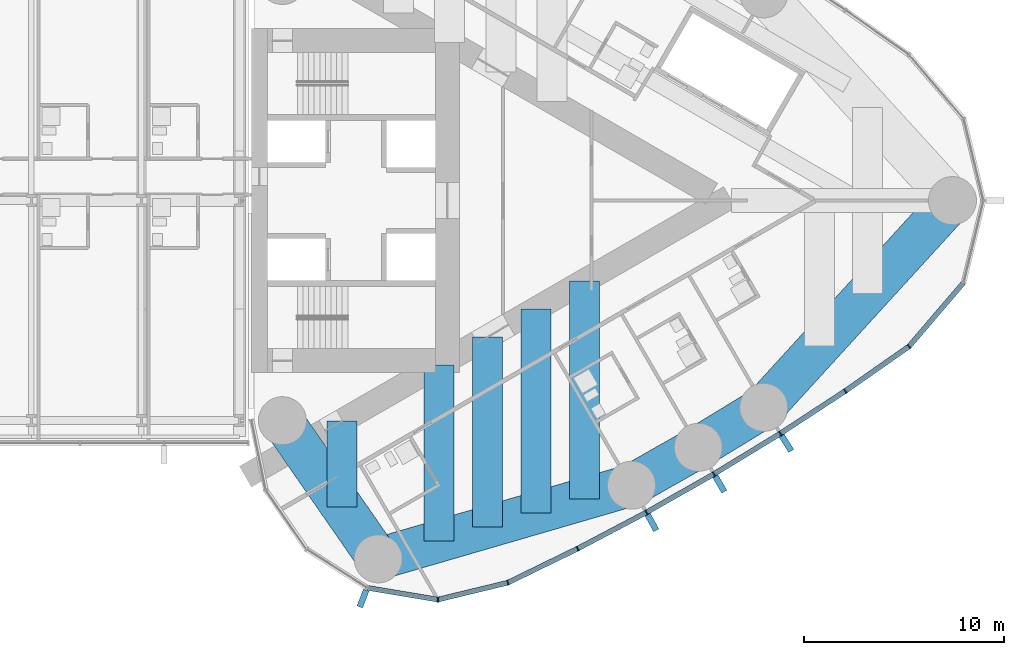
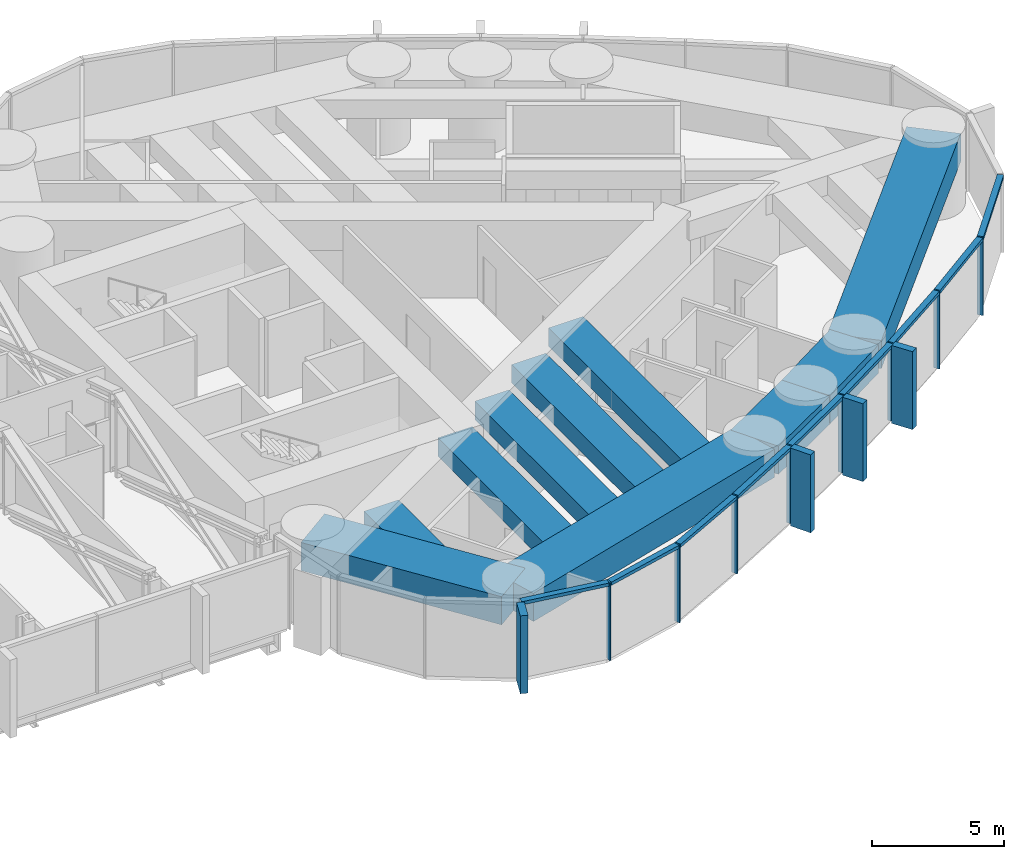
# One storey, part 8 of 23: 21 members, 10 beams, 1 element without a shape of its own.
"""IFC4 building model written with IfcOpenShell, lengths in metres."""

import ifcopenshell
import ifcopenshell.guid

model = None  # the IFC model being written
_history = None  # IfcOwnerHistory: only IFC2X3 demands one
_inside = {}  # id of a spatial element -> (the spatial element, [elements in it])
_under = {}  # id of a project, library or spatial element -> (it, [spatial elements below it])
_declared = {}  # id of a project -> (the project, [libraries it declares])
_typed = {}  # id of a type object -> (the type object, [elements of that type])
_made_of = {}  # id of a material, layer set ... -> (it, [elements and type objects made of it])


def new_model(schema):
    """Start an empty IFC model of exactly this schema.

    Asked for "IFC4X3", IfcOpenShell would pick the latest addendum, in which some entities
    have other attributes; the version numbers below select the first issue.
    IFC2X3 requires an IfcOwnerHistory on every rooted entity: one is made here for all.
    """
    global model, _history
    if schema == "IFC4X3":
        model = ifcopenshell.file(schema_version=(4, 3, 0, 0))
    else:
        model = ifcopenshell.file(schema=schema)
    _inside.clear()
    _under.clear()
    _declared.clear()
    _typed.clear()
    _made_of.clear()
    _history = None
    if model.schema == "IFC2X3":
        org = make("IfcOrganization", Name="unknown")
        user = make(
            "IfcPersonAndOrganization",
            ThePerson=make("IfcPerson", FamilyName="unknown"),
            TheOrganization=org,
        )
        app = make(
            "IfcApplication",
            ApplicationDeveloper=org,
            Version="unknown",
            ApplicationFullName="unknown",
            ApplicationIdentifier="unknown",
        )
        _history = make(
            "IfcOwnerHistory",
            OwningUser=user,
            OwningApplication=app,
            ChangeAction="ADDED",
            CreationDate=0,
        )
    return model


def make(cls, **values):
    """One entity of the class cls with the attributes given. An attribute that is None is left unset."""
    return model.create_entity(
        cls, **{name: value for name, value in values.items() if value is not None}
    )


def rooted(cls, **values):
    """An entity with a GlobalId (a new one), such as an element, a storey or a relation."""
    return make(cls, GlobalId=ifcopenshell.guid.new(), OwnerHistory=_history, **values)


def si_unit(unit_type, name, prefix=None):
    """IfcSIUnit, for example si_unit("LENGTHUNIT", "METRE", prefix="MILLI")."""
    return make("IfcSIUnit", UnitType=unit_type, Prefix=prefix, Name=name)


def assignment(units):
    """IfcUnitAssignment: the units of a project."""
    return None if units is None else make("IfcUnitAssignment", Units=units)


def point(xyz):
    """IfcCartesianPoint."""
    return None if xyz is None else make("IfcCartesianPoint", Coordinates=xyz)


def direction(xyz):
    """IfcDirection."""
    return None if xyz is None else make("IfcDirection", DirectionRatios=xyz)


def frame(location, z_axis=None, x_axis=None):
    """IfcAxis2Placement3D, a coordinate frame: its origin and axes. An axis left out is left unset."""
    return make(
        "IfcAxis2Placement3D",
        Location=point(location),
        Axis=direction(z_axis),
        RefDirection=direction(x_axis),
    )


def frame_2d(location, x_axis=None):
    """IfcAxis2Placement2D, a coordinate frame in the plane: its origin and x axis."""
    return make(
        "IfcAxis2Placement2D", Location=point(location), RefDirection=direction(x_axis)
    )


def origin():
    """The frame at (0, 0, 0) with its axes left unset."""
    return frame((0.0, 0.0, 0.0))


def origin_2d():
    """The frame at (0, 0) in the plane with its x axis left unset."""
    return frame_2d((0.0, 0.0))


def place(relative_to, where):
    """IfcLocalPlacement: puts the frame where relative to a parent placement (None: the world)."""
    return make(
        "IfcLocalPlacement", PlacementRelTo=relative_to, RelativePlacement=where
    )


def context(
    kind, dimensions, precision=None, world=None, true_north=None, identifier=None
):
    """IfcGeometricRepresentationContext, for example the 3D "Model" context."""
    return make(
        "IfcGeometricRepresentationContext",
        ContextIdentifier=identifier,
        ContextType=kind,
        CoordinateSpaceDimension=dimensions,
        Precision=precision,
        WorldCoordinateSystem=world,
        TrueNorth=true_north,
    )


def subcontext(parent, identifier, kind, view, scale=None):
    """IfcGeometricRepresentationSubContext, for example "Body" below "Model"."""
    return make(
        "IfcGeometricRepresentationSubContext",
        ContextIdentifier=identifier,
        ContextType=kind,
        ParentContext=parent,
        TargetScale=scale,
        TargetView=view,
    )


def project(units=None, contexts=None):
    """IfcProject with its units and contexts."""
    return rooted(
        "IfcProject",
        Name="project",
        RepresentationContexts=contexts,
        UnitsInContext=assignment(units),
    )


def spatial(cls, under=None, at=None, **own):
    """A site, building, storey or space (cls), placed at a placement, below another one or the project."""
    s = rooted(cls, ObjectPlacement=at, **own)
    if under is not None:
        _under.setdefault(under.id(), (under, []))[1].append(s)
    return s


def profile(cls, at=None, kind="AREA", **sizes):
    """A parametric profile (cls). Its sizes go by their IFC names, for example OverallWidth=200.0."""
    return make(cls, ProfileType=kind, Position=at, **sizes)


def rectangle(**sizes):
    """IfcRectangleProfileDef."""
    return profile("IfcRectangleProfileDef", **sizes)


def extrude(swept, where, along, depth):
    """IfcExtrudedAreaSolid: the profile swept, set in the frame where, extruded along a direction by depth."""
    return make(
        "IfcExtrudedAreaSolid",
        SweptArea=swept,
        Position=where,
        ExtrudedDirection=direction(along),
        Depth=depth,
    )


def shape(context_of_items, identifier, shape_type, items):
    """IfcShapeRepresentation: the items that make up one representation, for example the "Body"."""
    return make(
        "IfcShapeRepresentation",
        ContextOfItems=context_of_items,
        RepresentationIdentifier=identifier,
        RepresentationType=shape_type,
        Items=items,
    )


def material(Name=None, Category=None):
    """IfcMaterial."""
    return make("IfcMaterial", Name=Name, Category=Category)


def material_profile(
    of_material, cross_section, Name=None, Category=None, Priority=None
):
    """IfcMaterialProfile: a cross section and its material."""
    return make(
        "IfcMaterialProfile",
        Name=Name,
        Material=of_material,
        Profile=cross_section,
        Priority=Priority,
        Category=Category,
    )


def profile_set(profiles, Name=None, composite=None):
    """IfcMaterialProfileSet."""
    return make(
        "IfcMaterialProfileSet",
        Name=Name,
        MaterialProfiles=profiles,
        CompositeProfile=composite,
    )


def made_of(thing, what):
    """Note that an element or type object is made of a material, layer set ...; save() writes the relation."""
    if what is not None:
        _made_of.setdefault(what.id(), (what, []))[1].append(thing)
    return thing


def type_object(cls, material=None, **own):
    """A type object (cls), such as IfcWallType, which elements share."""
    return made_of(rooted(cls, **own), material)


def element(
    cls,
    number,
    at=None,
    inside=None,
    cuts=None,
    type_object=None,
    material=None,
    context=None,
    identifier="Body",
    shape_type=None,
    held_by="IfcProductDefinitionShape",
    body=None,
    shapes=None,
    **own,
):
    """One element of the class cls, such as IfcWall. Its Tag is "e" and its number.

    at: its placement. inside: the storey or other place that contains it. cuts: it is an
    opening in that element (IfcRelVoidsElement). A single representation is given by context,
    identifier, shape_type and body (its items); several are given by shapes. held_by: the class
    of the entity that holds the representations. save() writes the other relations.
    """
    e = rooted(cls, Tag="e%d" % number, ObjectPlacement=at, **own)
    if body is not None:
        shapes = [shape(context, identifier, shape_type, body)]
    if shapes is not None:
        e.Representation = make(held_by, Representations=shapes)
    if inside is not None:
        _inside.setdefault(inside.id(), (inside, []))[1].append(e)
    if cuts is not None:
        rooted(
            "IfcRelVoidsElement", RelatingBuildingElement=cuts, RelatedOpeningElement=e
        )
    if type_object is not None:
        _typed.setdefault(type_object.id(), (type_object, []))[1].append(e)
    return made_of(e, material)


def aggregate(whole, parts):
    """IfcRelAggregates: a whole, such as a stair, and the parts it consists of."""
    return rooted("IfcRelAggregates", RelatingObject=whole, RelatedObjects=parts)


def save(model, path):
    """Write the relations noted so far, then the file.

    IfcRelAggregates (storeys below a building ...), IfcRelContainedInSpatialStructure (elements
    in a storey), IfcRelDefinesByType, IfcRelAssociatesMaterial and IfcRelDeclares: one each for
    every whole, place, type object, material and project.
    """
    for whole, parts in _under.values():
        aggregate(whole, parts)
    for where, things in _inside.values():
        rooted(
            "IfcRelContainedInSpatialStructure",
            RelatedElements=things,
            RelatingStructure=where,
        )
    for kind, things in _typed.values():
        rooted("IfcRelDefinesByType", RelatedObjects=things, RelatingType=kind)
    for what, things in _made_of.values():
        rooted("IfcRelAssociatesMaterial", RelatedObjects=things, RelatingMaterial=what)
    for by, libraries in _declared.values():
        rooted("IfcRelDeclares", RelatingContext=by, RelatedDefinitions=libraries)
    model.write(path)


model = new_model("IFC4")

# Units and contexts
model_context = context("Model", 3, precision=1e-05, world=origin(), true_north=direction((0.0, 1.0)))
body_context = subcontext(model_context, "Body", "Model", "MODEL_VIEW")
ifc_project = project(units=[si_unit("LENGTHUNIT", "METRE"), si_unit("AREAUNIT", "SQUARE_METRE"), si_unit("VOLUMEUNIT", "CUBIC_METRE"), si_unit("PLANEANGLEUNIT", "RADIAN"), si_unit("MASSUNIT", "GRAM", prefix="KILO")], contexts=[model_context])

# Site, building, storey
site_placement = place(None, origin())
site = spatial("IfcSite", under=ifc_project, at=site_placement, CompositionType="ELEMENT")
building_placement = place(site_placement, origin())
building = spatial("IfcBuilding", under=site, at=building_placement, Name="Lancet Gate Hotel", CompositionType="ELEMENT")
storey_placement = place(building_placement, frame((0.0, 0.0, 218.89990234375)))
storey = spatial("IfcBuildingStorey", under=building, at=storey_placement, Name="L58", CompositionType="ELEMENT", Elevation=218.89990234375)

# Curtain wall, members
ifc_material_1 = material(Name="Aluminium curtain wall", Category="aluminium")
curtain_wall_type = type_object("IfcCurtainWallType", Name="Tower unitised curtain wall", PredefinedType="USERDEFINED", material=ifc_material_1)
curtain_wall_placement = place(storey_placement, origin())
curtain_wall = element("IfcCurtainWall", 1, at=curtain_wall_placement, inside=storey, type_object=curtain_wall_type, Name="T2 L58 curtain wall 1", ObjectType="UNITISED CURTAIN WALL", PredefinedType="USERDEFINED")
ifc_material_2 = material(Name="Aluminium mullion", Category="aluminium")
ifc_material_profile_1 = material_profile(ifc_material_2, rectangle(XDim=0.06494140625, YDim=0.25, at=origin_2d()), Name="MULLION 65x250")
ifc_profile_set_1 = profile_set([ifc_material_profile_1], Name="Aluminium mullion")
member_type_1 = type_object("IfcMemberType", Name="Aluminium mullion 65x250", PredefinedType="MULLION", material=ifc_profile_set_1)
member_1_placement = place(storey_placement, frame((36.826171875, -19.942138671875, 0.0), z_axis=(0.0, 0.0, 1.0), x_axis=(0.999342744911, 0.03625021647, 0.0)))
member_1 = element("IfcMember", 2, at=member_1_placement, type_object=member_type_1, Name="T2 L58 curtain wall 1 mullion 5", PredefinedType="MULLION", context=body_context, shape_type="SweptSolid", body=[
    extrude(rectangle(XDim=0.06494140625, YDim=0.25, at=origin_2d()), origin(), (0.0, 0.0, 1.0), 3.60009765625),
])
member_2_placement = place(storey_placement, frame((40.3173828125, -19.098388671875, 0.0), z_axis=(0.0, 0.0, 1.0), x_axis=(0.939483740419, 0.342593493061, 0.0)))
member_2 = element("IfcMember", 3, at=member_2_placement, type_object=member_type_1, Name="T2 L58 curtain wall 1 mullion 6", PredefinedType="MULLION", context=body_context, shape_type="SweptSolid", body=[
    extrude(rectangle(XDim=0.06494140625, YDim=0.25, at=origin_2d()), origin(), (0.0, 0.0, 1.0), 3.60009765625),
])
member_3_placement = place(storey_placement, frame((43.80810546875, -17.396240234375, 0.0), z_axis=(0.0, 0.0, 1.0), x_axis=(0.891832977257, 0.452364831389, 0.0)))
member_3 = element("IfcMember", 4, at=member_3_placement, type_object=member_type_1, Name="T2 L58 curtain wall 1 mullion 7", PredefinedType="MULLION", context=body_context, shape_type="SweptSolid", body=[
    extrude(rectangle(XDim=0.06494140625, YDim=0.25, at=origin_2d()), origin(), (0.0, 0.0, 1.0), 3.60009765625),
])
member_4_placement = place(storey_placement, frame((47.24365234375, -15.585205078125, 0.0), z_axis=(0.0, 0.0, 1.0), x_axis=(0.877194589488, 0.480135035352, 0.0)))
member_4 = element("IfcMember", 5, at=member_4_placement, type_object=member_type_1, Name="T2 L58 curtain wall 1 mullion 8", PredefinedType="MULLION", context=body_context, shape_type="SweptSolid", body=[
    extrude(rectangle(XDim=0.06494140625, YDim=0.25, at=origin_2d()), origin(), (0.0, 0.0, 1.0), 3.60009765625),
])
member_5_placement = place(storey_placement, frame((50.62060546875, -13.667236328125, 0.0), z_axis=(0.0, 0.0, 1.0), x_axis=(0.861691755738, 0.507432082247, 0.0)))
member_5 = element("IfcMember", 6, at=member_5_placement, type_object=member_type_1, Name="T2 L58 curtain wall 1 mullion 9", PredefinedType="MULLION", context=body_context, shape_type="SweptSolid", body=[
    extrude(rectangle(XDim=0.06494140625, YDim=0.25, at=origin_2d()), origin(), (0.0, 0.0, 1.0), 3.60009765625),
])
member_6_placement = place(storey_placement, frame((53.935791015625, -11.644287109375, 0.0), z_axis=(0.0, 0.0, 1.0), x_axis=(0.845339753513, 0.534229071777, 0.0)))
member_6 = element("IfcMember", 7, at=member_6_placement, type_object=member_type_1, Name="T2 L58 curtain wall 1 mullion 10", PredefinedType="MULLION", context=body_context, shape_type="SweptSolid", body=[
    extrude(rectangle(XDim=0.06494140625, YDim=0.25, at=origin_2d()), origin(), (0.0, 0.0, 1.0), 3.60009765625),
])
member_7_placement = place(storey_placement, frame((57.185791015625, -9.518310546875, 0.0), z_axis=(0.0, 0.0, 1.0), x_axis=(0.828154697184, 0.560499596371, 0.0)))
member_7 = element("IfcMember", 8, at=member_7_placement, type_object=member_type_1, Name="T2 L58 curtain wall 1 mullion 11", PredefinedType="MULLION", context=body_context, shape_type="SweptSolid", body=[
    extrude(rectangle(XDim=0.06494140625, YDim=0.25, at=origin_2d()), origin(), (0.0, 0.0, 1.0), 3.60009765625),
])
member_8_placement = place(storey_placement, frame((60.367431640625, -7.291259765625, 0.0), z_axis=(0.0, 0.0, 1.0), x_axis=(0.737323173512, 0.675540182226, 0.0)))
member_8 = element("IfcMember", 9, at=member_8_placement, type_object=member_type_1, Name="T2 L58 curtain wall 1 mullion 12", PredefinedType="MULLION", context=body_context, shape_type="SweptSolid", body=[
    extrude(rectangle(XDim=0.06494140625, YDim=0.25, at=origin_2d()), origin(), (0.0, 0.0, 1.0), 3.60009765625),
])
ifc_material_3 = material(Name="Aluminium transom", Category="aluminium")
ifc_material_profile_2 = material_profile(ifc_material_3, rectangle(XDim=0.25, YDim=0.14990234375, at=origin_2d()), Name="TRANSOM 250x150")
ifc_profile_set_2 = profile_set([ifc_material_profile_2], Name="Aluminium transom")
member_type_2 = type_object("IfcMemberType", Name="Aluminium transom 250x150", PredefinedType="USERDEFINED", material=ifc_profile_set_2)
member_9_placement = place(storey_placement, frame((33.315185546875, -19.35888671875, 3.525146484375), z_axis=(0.986483584545, -0.163860115412, 0.0), x_axis=(0.163860115412, 0.986483584545, 0.0)))
member_9 = element("IfcMember", 10, at=member_9_placement, type_object=member_type_2, Name="T2 L58 curtain wall 1 transom 4", ObjectType="TRANSOM", PredefinedType="USERDEFINED", context=body_context, shape_type="SweptSolid", body=[
    extrude(rectangle(XDim=0.25, YDim=0.14990234375, at=origin_2d()), origin(), (0.0, 0.0, 1.0), 3.526611328125),
])
member_10_placement = place(storey_placement, frame((36.85791015625, -19.9345703125, 3.525146484375), z_axis=(0.972002653858, 0.234969872307, 0.0), x_axis=(-0.234969872307, 0.972002653858, 0.0)))
member_10 = element("IfcMember", 11, at=member_10_placement, type_object=member_type_2, Name="T2 L58 curtain wall 1 transom 5", ObjectType="TRANSOM", PredefinedType="USERDEFINED", context=body_context, shape_type="SweptSolid", body=[
    extrude(rectangle(XDim=0.25, YDim=0.14990234375, at=origin_2d()), origin(), (0.0, 0.0, 1.0), 3.5263671875),
])
member_11_placement = place(storey_placement, frame((40.346435546875, -19.084228515625, 3.525146484375), z_axis=(0.898820051991, 0.438317823206, 0.0), x_axis=(-0.438317823206, 0.898820051991, 0.0)))
member_11 = element("IfcMember", 12, at=member_11_placement, type_object=member_type_2, Name="T2 L58 curtain wall 1 transom 6", ObjectType="TRANSOM", PredefinedType="USERDEFINED", context=body_context, shape_type="SweptSolid", body=[
    extrude(rectangle(XDim=0.25, YDim=0.14990234375, at=origin_2d()), origin(), (0.0, 0.0, 1.0), 3.81884765625),
])
member_12_placement = place(storey_placement, frame((43.836669921875, -17.381103515625, 3.525146484375), z_axis=(0.884618491031, 0.466315478325, 0.0), x_axis=(-0.466315478325, 0.884618491031, 0.0)))
member_12 = element("IfcMember", 13, at=member_12_placement, type_object=member_type_2, Name="T2 L58 curtain wall 1 transom 7", ObjectType="TRANSOM", PredefinedType="USERDEFINED", context=body_context, shape_type="SweptSolid", body=[
    extrude(rectangle(XDim=0.25, YDim=0.14990234375, at=origin_2d()), origin(), (0.0, 0.0, 1.0), 3.81884765625),
])
member_13_placement = place(storey_placement, frame((47.271728515625, -15.569091796875, 3.525146484375), z_axis=(0.869562011924, 0.493823761496, 0.0), x_axis=(-0.493823761496, 0.869562011924, 0.0)))
member_13 = element("IfcMember", 14, at=member_13_placement, type_object=member_type_2, Name="T2 L58 curtain wall 1 transom 8", ObjectType="TRANSOM", PredefinedType="USERDEFINED", context=body_context, shape_type="SweptSolid", body=[
    extrude(rectangle(XDim=0.25, YDim=0.14990234375, at=origin_2d()), origin(), (0.0, 0.0, 1.0), 3.818603515625),
])
member_14_placement = place(storey_placement, frame((50.648193359375, -13.650390625, 3.525146484375), z_axis=(0.853638798527, 0.520865435261, 0.0), x_axis=(-0.520865435261, 0.853638798527, 0.0)))
member_14 = element("IfcMember", 15, at=member_14_placement, type_object=member_type_2, Name="T2 L58 curtain wall 1 transom 9", ObjectType="TRANSOM", PredefinedType="USERDEFINED", context=body_context, shape_type="SweptSolid", body=[
    extrude(rectangle(XDim=0.25, YDim=0.14990234375, at=origin_2d()), origin(), (0.0, 0.0, 1.0), 3.818603515625),
])
member_15_placement = place(storey_placement, frame((53.962890625, -11.62646484375, 3.525146484375), z_axis=(0.836858089593, 0.547419891749, 0.0), x_axis=(-0.547419891749, 0.836858089593, 0.0)))
member_15 = element("IfcMember", 16, at=member_15_placement, type_object=member_type_2, Name="T2 L58 curtain wall 1 transom 10", ObjectType="TRANSOM", PredefinedType="USERDEFINED", context=body_context, shape_type="SweptSolid", body=[
    extrude(rectangle(XDim=0.25, YDim=0.14990234375, at=origin_2d()), origin(), (0.0, 0.0, 1.0), 3.818603515625),
])
member_16_placement = place(storey_placement, frame((57.21240234375, -9.499755859375, 3.525146484375), z_axis=(0.819255948852, 0.573428016642, 0.0), x_axis=(-0.573428016642, 0.819255948852, 0.0)))
member_16 = element("IfcMember", 17, at=member_16_placement, type_object=member_type_2, Name="T2 L58 curtain wall 1 transom 11", ObjectType="TRANSOM", PredefinedType="USERDEFINED", context=body_context, shape_type="SweptSolid", body=[
    extrude(rectangle(XDim=0.25, YDim=0.14990234375, at=origin_2d()), origin(), (0.0, 0.0, 1.0), 3.818603515625),
])
member_17_placement = place(storey_placement, frame((60.388427734375, -7.2666015625, 3.525146484375), z_axis=(0.650592500186, 0.759427019997, 0.0), x_axis=(-0.759427019997, 0.650592500186, 0.0)))
member_17 = element("IfcMember", 18, at=member_17_placement, type_object=member_type_2, Name="T2 L58 curtain wall 1 transom 12", ObjectType="TRANSOM", PredefinedType="USERDEFINED", context=body_context, shape_type="SweptSolid", body=[
    extrude(rectangle(XDim=0.25, YDim=0.14990234375, at=origin_2d()), origin(), (0.0, 0.0, 1.0), 4.1455078125),
])

# Beams
ifc_material_4 = material(Name="Concrete C50/60", Category="concrete")
ifc_material_profile_3 = material_profile(ifc_material_4, rectangle(XDim=2.10009765625, YDim=1.300048828125, at=origin_2d()), Name="RC 2100x1300")
ifc_profile_set_3 = profile_set([ifc_material_profile_3], Name="Concrete C50/60")
beam_type_1 = type_object("IfcBeamType", Name="Edge beam RC 2100x1300", PredefinedType="SPANDREL", material=ifc_profile_set_3)
beam_1_placement = place(storey_placement, frame((33.837158203125, -17.906005859375, 2.7001953125), z_axis=(0.960258384252, 0.279112585659, 0.0), x_axis=(-0.279112585659, 0.960258384252, 0.0)))
element("IfcBeam", 19, at=beam_1_placement, inside=storey, type_object=beam_type_1, Name="T2 edge beam EB1 L58", PredefinedType="SPANDREL", context=body_context, shape_type="SweptSolid", body=[
    extrude(rectangle(XDim=2.10009765625, YDim=1.300048828125, at=origin_2d()), origin(), (0.0, 0.0, 1.0), 13.18603515625),
])
beam_2_placement = place(storey_placement, frame((46.499267578125, -14.2255859375, 2.7001953125), z_axis=(0.869560321562, 0.493826738001, 0.0), x_axis=(-0.493826738001, 0.869560321562, 0.0)))
element("IfcBeam", 20, at=beam_2_placement, inside=storey, type_object=beam_type_1, Name="T2 edge beam EB1 L58", PredefinedType="SPANDREL", context=body_context, shape_type="SweptSolid", body=[
    extrude(rectangle(XDim=2.10009765625, YDim=1.300048828125, at=origin_2d()), origin(), (0.0, 0.0, 1.0), 3.8349609375),
])
beam_3_placement = place(storey_placement, frame((49.833984375, -12.331787109375, 2.7001953125), z_axis=(0.853604257265, 0.520922040212, 0.0), x_axis=(-0.520922040212, 0.853604257265, 0.0)))
element("IfcBeam", 21, at=beam_3_placement, inside=storey, type_object=beam_type_1, Name="T2 edge beam EB1 L58", PredefinedType="SPANDREL", context=body_context, shape_type="SweptSolid", body=[
    extrude(rectangle(XDim=2.10009765625, YDim=1.300048828125, at=origin_2d()), origin(), (0.0, 0.0, 1.0), 3.835205078125),
])
beam_4_placement = place(storey_placement, frame((53.107666015625, -10.333984375, 2.7001953125), z_axis=(0.674209372947, 0.738540263919, 0.0), x_axis=(-0.738540263919, 0.674209372947, 0.0)))
element("IfcBeam", 22, at=beam_4_placement, inside=storey, type_object=beam_type_1, Name="T2 edge beam EB1 L58", PredefinedType="SPANDREL", context=body_context, shape_type="SweptSolid", body=[
    extrude(rectangle(XDim=2.10009765625, YDim=1.300048828125, at=origin_2d()), origin(), (0.0, 0.0, 1.0), 13.992431640625),
])
beam_5_placement = place(storey_placement, frame((33.837158203125, -17.906005859375, 2.7001953125), z_axis=(-0.569694852599, 0.821856298219, 0.0), x_axis=(-0.821856298219, -0.569694852599, 0.0)))
element("IfcBeam", 23, at=beam_5_placement, inside=storey, type_object=beam_type_1, Name="T2 edge beam EB1 L58", PredefinedType="SPANDREL", context=body_context, shape_type="SweptSolid", body=[
    extrude(rectangle(XDim=2.10009765625, YDim=1.300048828125, at=origin_2d()), origin(), (0.0, 0.0, 1.0), 8.40283203125),
])

# Member
ifc_material_5 = material(Name="Precast concrete C50/60", Category="concrete")
ifc_material_profile_4 = material_profile(ifc_material_5, rectangle(XDim=0.300048828125, YDim=0.89990234375, at=origin_2d()), Name="FIN 300x900")
ifc_profile_set_4 = profile_set([ifc_material_profile_4], Name="Precast concrete C50/60")
member_type_3 = type_object("IfcMemberType", Name="Exposed concrete fin 300x900", PredefinedType="USERDEFINED", material=ifc_profile_set_4)
member_18_placement = place(storey_placement, frame((33.07763671875, -19.890625, 0.0), z_axis=(0.0, 0.0, 1.0), x_axis=(0.93394321776, -0.357421412343, 0.0)))
member_18 = element("IfcMember", 24, at=member_18_placement, type_object=member_type_3, Name="T2 L58 curtain wall 1 fin 4", ObjectType="FIN", PredefinedType="USERDEFINED", context=body_context, shape_type="SweptSolid", body=[
    extrude(rectangle(XDim=0.300048828125, YDim=0.89990234375, at=origin_2d()), origin(), (0.0, 0.0, 1.0), 3.60009765625),
])

member_19_placement = place(storey_placement, frame((47.51953125, -16.089599609375, 0.0), z_axis=(0.0, 0.0, 1.0), x_axis=(0.877194589488, 0.480135035352, 0.0)))
member_19 = element("IfcMember", 25, at=member_19_placement, type_object=member_type_3, Name="T2 L58 curtain wall 1 fin 8", ObjectType="FIN", PredefinedType="USERDEFINED", context=body_context, shape_type="SweptSolid", body=[
    extrude(rectangle(XDim=0.300048828125, YDim=0.89990234375, at=origin_2d()), origin(), (0.0, 0.0, 1.0), 3.60009765625),
])

member_20_placement = place(storey_placement, frame((50.912353515625, -14.162841796875, 0.0), z_axis=(0.0, 0.0, 1.0), x_axis=(0.861691755738, 0.507432082247, 0.0)))
member_20 = element("IfcMember", 26, at=member_20_placement, type_object=member_type_3, Name="T2 L58 curtain wall 1 fin 9", ObjectType="FIN", PredefinedType="USERDEFINED", context=body_context, shape_type="SweptSolid", body=[
    extrude(rectangle(XDim=0.300048828125, YDim=0.89990234375, at=origin_2d()), origin(), (0.0, 0.0, 1.0), 3.60009765625),
])

member_21_placement = place(storey_placement, frame((54.242919921875, -12.13037109375, 0.0), z_axis=(0.0, 0.0, 1.0), x_axis=(0.845339753513, 0.534229071777, 0.0)))
member_21 = element("IfcMember", 27, at=member_21_placement, type_object=member_type_3, Name="T2 L58 curtain wall 1 fin 10", ObjectType="FIN", PredefinedType="USERDEFINED", context=body_context, shape_type="SweptSolid", body=[
    extrude(rectangle(XDim=0.300048828125, YDim=0.89990234375, at=origin_2d()), origin(), (0.0, 0.0, 1.0), 3.60009765625),
])

aggregate(curtain_wall, [member_18, member_1, member_2, member_3, member_4, member_19, member_5, member_20, member_6, member_21, member_7, member_8, member_9, member_10, member_11, member_12, member_13, member_14, member_15, member_16, member_17])

# Beams
ifc_material_6 = material(Name="Concrete C50/60", Category="concrete")
ifc_material_profile_5 = material_profile(ifc_material_6, rectangle(XDim=1.5, YDim=0.85009765625, at=origin_2d()), Name="RC 1500x850")
ifc_profile_set_5 = profile_set([ifc_material_profile_5], Name="Concrete C50/60")
beam_type_2 = type_object("IfcBeamType", Name="Floor beam RC 1500x850", PredefinedType="BEAM", material=ifc_profile_set_5)
beam_6_placement = place(storey_placement, frame((32.04052734375, -15.31396484375, 2.925048828125), z_axis=(0.0, 1.0, 0.0), x_axis=(-1.0, 0.0, 0.0)))
element("IfcBeam", 28, at=beam_6_placement, inside=storey, type_object=beam_type_2, Name="T2 floor beam F01S L58", PredefinedType="BEAM", context=body_context, shape_type="SweptSolid", body=[
    extrude(rectangle(XDim=1.5, YDim=0.85009765625, at=origin_2d()), origin(), (0.0, 0.0, 1.0), 4.30859375),
])
beam_7_placement = place(storey_placement, frame((36.880859375, -17.021240234375, 2.925048828125), z_axis=(0.0, 1.0, 0.0), x_axis=(-1.0, 0.0, 0.0)))
element("IfcBeam", 29, at=beam_7_placement, inside=storey, type_object=beam_type_2, Name="T2 floor beam F03S L58", PredefinedType="BEAM", context=body_context, shape_type="SweptSolid", body=[
    extrude(rectangle(XDim=1.5, YDim=0.85009765625, at=origin_2d()), origin(), (0.0, 0.0, 1.0), 8.810546875),
])
beam_8_placement = place(storey_placement, frame((39.301025390625, -16.31787109375, 2.925048828125), z_axis=(0.0, 1.0, 0.0), x_axis=(-1.0, 0.0, 0.0)))
element("IfcBeam", 30, at=beam_8_placement, inside=storey, type_object=beam_type_2, Name="T2 floor beam F05S L58", PredefinedType="BEAM", context=body_context, shape_type="SweptSolid", body=[
    extrude(rectangle(XDim=1.5, YDim=0.85009765625, at=origin_2d()), origin(), (0.0, 0.0, 1.0), 9.50439453125),
])
beam_9_placement = place(storey_placement, frame((41.721435546875, -15.6142578125, 2.925048828125), z_axis=(0.0, 1.0, 0.0), x_axis=(-1.0, 0.0, 0.0)))
element("IfcBeam", 31, at=beam_9_placement, inside=storey, type_object=beam_type_2, Name="T2 floor beam F07S L58", PredefinedType="BEAM", context=body_context, shape_type="SweptSolid", body=[
    extrude(rectangle(XDim=1.5, YDim=0.85009765625, at=origin_2d()), origin(), (0.0, 0.0, 1.0), 10.1982421875),
])
beam_10_placement = place(storey_placement, frame((44.1416015625, -14.910888671875, 2.925048828125), z_axis=(0.0, 1.0, 0.0), x_axis=(-1.0, 0.0, 0.0)))
element("IfcBeam", 32, at=beam_10_placement, inside=storey, type_object=beam_type_2, Name="T2 floor beam F09S L58", PredefinedType="BEAM", context=body_context, shape_type="SweptSolid", body=[
    extrude(rectangle(XDim=1.5, YDim=0.85009765625, at=origin_2d()), origin(), (0.0, 0.0, 1.0), 10.89208984375),
])

save(model, "model.ifc")
